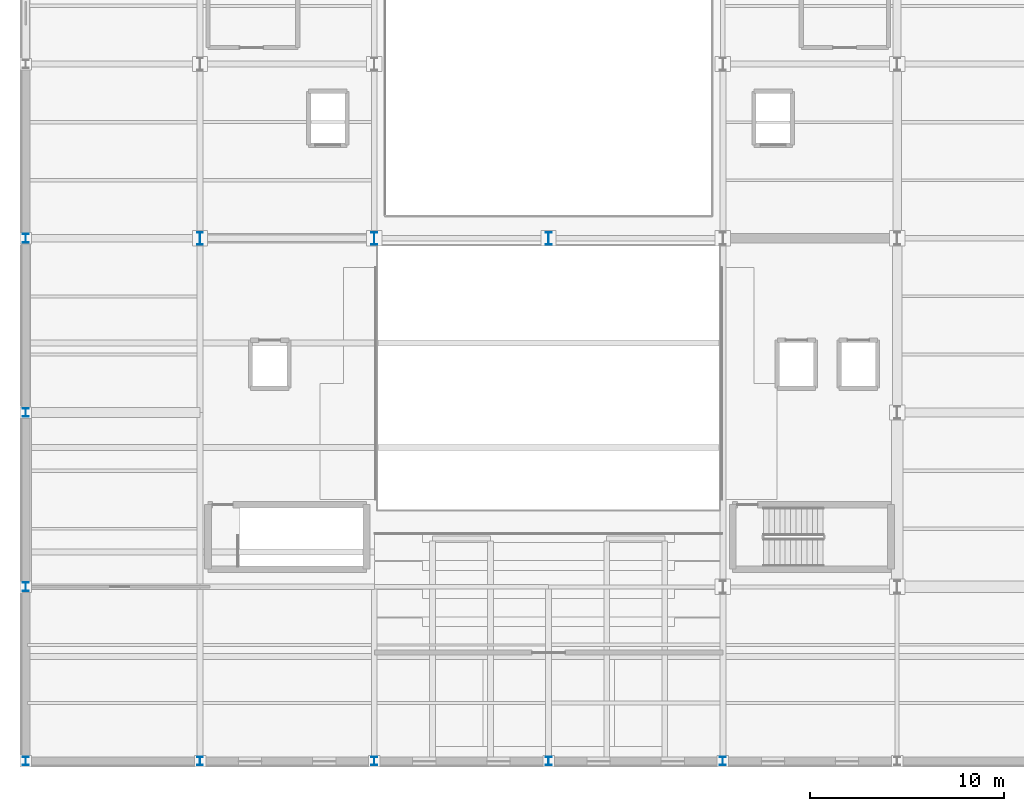
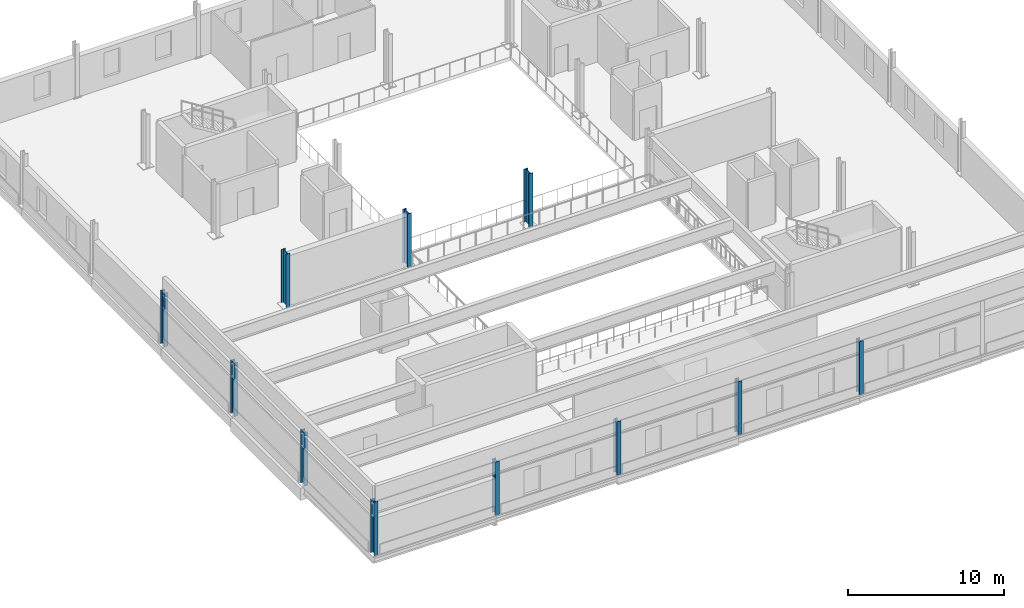
# One storey, part 1 of 17: 11 columns.
"""IFC4 building model written with IfcOpenShell, lengths in metres."""

from ifc_helpers import new_model, si_unit, direction, frame, origin, origin_2d, place, context, subcontext, project, spatial, i_section, extrude, material, material_profile, profile_set, type_object, element, save


model = new_model("IFC4")

# Units and contexts
model_context = context("Model", 3, precision=1e-05, world=origin(), true_north=direction((0.0, 1.0)))
body_context = subcontext(model_context, "Body", "Model", "MODEL_VIEW")
ifc_project = project(units=[si_unit("LENGTHUNIT", "METRE"), si_unit("AREAUNIT", "SQUARE_METRE"), si_unit("VOLUMEUNIT", "CUBIC_METRE"), si_unit("PLANEANGLEUNIT", "RADIAN"), si_unit("MASSUNIT", "GRAM", prefix="KILO")], contexts=[model_context])

# Site, building, storey
site_placement = place(None, origin())
site = spatial("IfcSite", under=ifc_project, at=site_placement, CompositionType="ELEMENT")
building_placement = place(site_placement, origin())
building = spatial("IfcBuilding", under=site, at=building_placement, Name="Sundgate Opera House", CompositionType="ELEMENT")
storey_placement = place(building_placement, frame((0.0, 0.0, 26.39990234375)))
storey = spatial("IfcBuildingStorey", under=building, at=storey_placement, Name="L05", CompositionType="ELEMENT", Elevation=26.39990234375)

# Columns
ifc_material_1 = material(Name="Steel S355J2", Category="steel")
ifc_material_profile_1 = material_profile(ifc_material_1, i_section(OverallWidth=0.300048828125, OverallDepth=0.449951171875, WebThickness=0.013916015625, FlangeThickness=0.02587890625, at=origin_2d()), Name="HEB 450")
ifc_profile_set_1 = profile_set([ifc_material_profile_1], Name="Steel S355J2")
column_type_1 = type_object("IfcColumnType", Name="CL-STL-450", PredefinedType="COLUMN", material=ifc_profile_set_1)
for number, where, z_axis, x_axis, name in (
    (1, (27.0, 33.0, 0.0), (0.0, 0.0, 1.0), (1.0, 0.0, 0.0), "L05 Column C0162"),
    (2, (27.0, 42.0, 0.0), (0.0, 0.0, 1.0), (1.0, 0.0, 0.0), "L05 Column C0167"),
    (3, (27.0, 51.0, 0.0), (0.0, 0.0, 1.0), (1.0, 0.0, 0.0), "L05 Column C0172"),
    (4, (27.0, 60.0, 0.0), (0.0, 0.0, 1.0), (1.0, 0.0, 0.0), "L05 Column C0177"),
    (5, (36.0, 33.0, 0.0), (0.0, 0.0, 1.0), (1.0, 0.0, 0.0), "L05 Column C0219"),
    (6, (45.0, 33.0, 0.0), (0.0, 0.0, 1.0), (1.0, 0.0, 0.0), "L05 Column C0284"),
    (7, (54.0, 33.0, 0.0), (0.0, 0.0, 1.0), (1.0, 0.0, 0.0), "L05 Column C0344"),
    (8, (63.0, 33.0, 0.0), (0.0, 0.0, 1.0), (1.0, 0.0, 0.0), "L05 Column C0399"),
):
    element("IfcColumn", number, at=place(storey_placement, frame(where, z_axis=z_axis, x_axis=x_axis)), inside=storey, type_object=column_type_1, Name=name, PredefinedType="COLUMN", context=body_context, shape_type="SweptSolid", body=[
        extrude(i_section(OverallWidth=0.300048828125, OverallDepth=0.449951171875, WebThickness=0.013916015625, FlangeThickness=0.02587890625, at=origin_2d()), origin(), (0.0, 0.0, 1.0), 4.2001953125),
    ])
ifc_material_2 = material(Name="Steel S355J2", Category="steel")
ifc_material_profile_2 = material_profile(ifc_material_2, i_section(OverallWidth=0.300048828125, OverallDepth=0.64990234375, WebThickness=0.01611328125, FlangeThickness=0.031005859375, at=origin_2d()), Name="HEB 650")
ifc_profile_set_2 = profile_set([ifc_material_profile_2], Name="Steel S355J2")
column_type_2 = type_object("IfcColumnType", Name="CL-STL-650", PredefinedType="COLUMN", material=ifc_profile_set_2)
for number, where, z_axis, x_axis, name in (
    (9, (36.0, 60.0, 0.0), (0.0, 0.0, 1.0), (1.0, 0.0, 0.0), "L05 Column C0238"),
    (10, (45.0, 60.0, 0.0), (0.0, 0.0, 1.0), (1.0, 0.0, 0.0), "L05 Column C0298"),
    (11, (54.0, 60.0, 0.0), (0.0, 0.0, 1.0), (1.0, 0.0, 0.0), "L05 Column C0358"),
):
    element("IfcColumn", number, at=place(storey_placement, frame(where, z_axis=z_axis, x_axis=x_axis)), inside=storey, type_object=column_type_2, Name=name, PredefinedType="COLUMN", context=body_context, shape_type="SweptSolid", body=[
        extrude(i_section(OverallWidth=0.300048828125, OverallDepth=0.64990234375, WebThickness=0.01611328125, FlangeThickness=0.031005859375, at=origin_2d()), origin(), (0.0, 0.0, 1.0), 4.2001953125),
    ])

save(model, "model.ifc")
